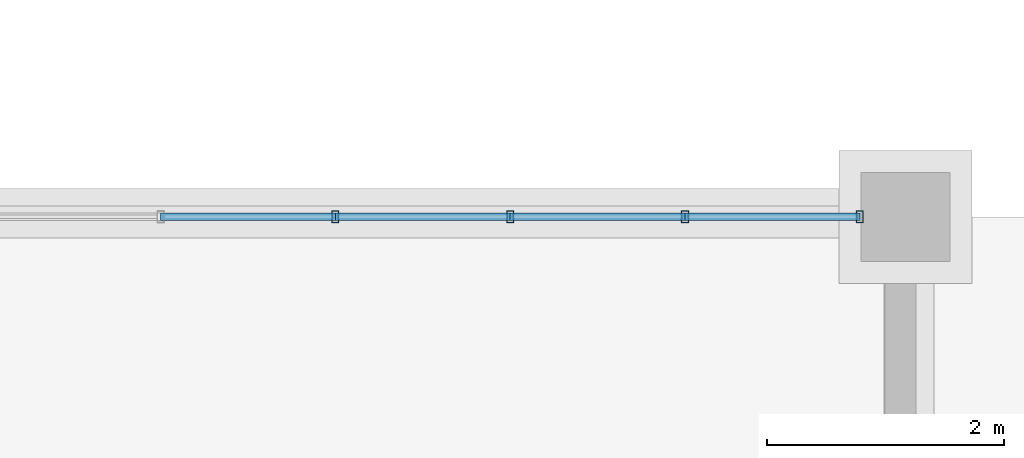
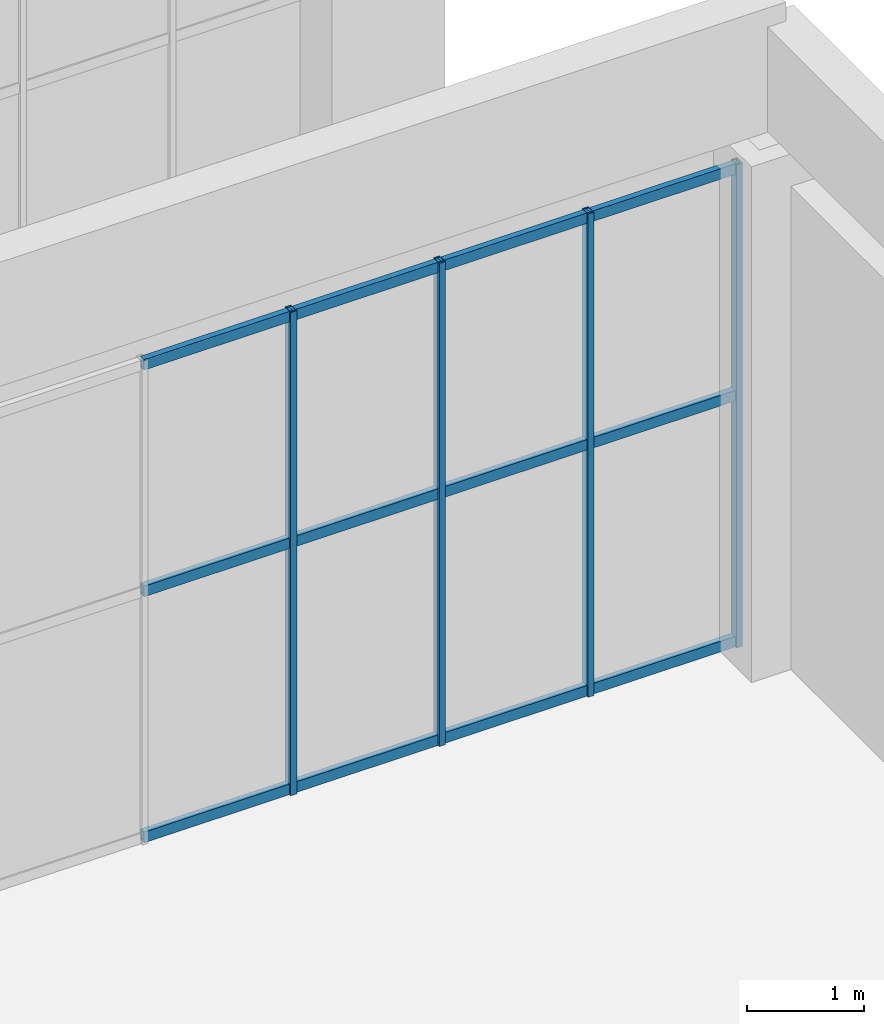
# One storey, part 97 of 164: 16 members, 1 element without a shape of its own.
"""IFC4 building model written with IfcOpenShell, lengths in metres."""

from ifc_helpers import new_model, si_unit, direction, frame, origin, origin_2d, place, context, subcontext, project, spatial, hollow_rectangle, extrude, material, material_profile, profile_set, type_object, element, aggregate, save


model = new_model("IFC4")

# Units and contexts
model_context = context("Model", 3, precision=1e-05, world=origin(), true_north=direction((0.0, 1.0)))
body_context = subcontext(model_context, "Body", "Model", "MODEL_VIEW")
ifc_project = project(units=[si_unit("LENGTHUNIT", "METRE"), si_unit("AREAUNIT", "SQUARE_METRE"), si_unit("VOLUMEUNIT", "CUBIC_METRE"), si_unit("PLANEANGLEUNIT", "RADIAN"), si_unit("MASSUNIT", "GRAM", prefix="KILO")], contexts=[model_context])

# Site, building, storey
site_placement = place(None, origin())
site = spatial("IfcSite", under=ifc_project, at=site_placement, CompositionType="ELEMENT")
building_placement = place(site_placement, origin())
building = spatial("IfcBuilding", under=site, at=building_placement, Name="Mavantir Sound Aquarium", CompositionType="ELEMENT")
storey_placement = place(building_placement, origin())
storey = spatial("IfcBuildingStorey", under=building, at=storey_placement, Name="L00", CompositionType="ELEMENT", Elevation=0.0)

# Curtain wall, members
ifc_material_1 = material(Name="Anodised Marine Aluminium and Low-E Glass", Category="aluminium")
curtain_wall_type = type_object("IfcCurtainWallType", Name="CW-T23", PredefinedType="USERDEFINED", material=ifc_material_1)
curtain_wall_placement = place(storey_placement, origin())
curtain_wall = element("IfcCurtainWall", 1, at=curtain_wall_placement, inside=storey, type_object=curtain_wall_type, Name="L00 unitised curtain wall CW-23 47", ObjectType="UNITISED GLAZING", PredefinedType="USERDEFINED")
ifc_material_2 = material(Name="Anodised Marine Aluminium 6063-T6", Category="aluminium")
ifc_material_profile_1 = material_profile(ifc_material_2, hollow_rectangle(XDim=0.06005859375, YDim=0.10009765625, WallThickness=0.00390625, at=origin_2d()), Name="ALU-MULLION-100X60")
ifc_profile_set_1 = profile_set([ifc_material_profile_1], Name="Anodised Marine Aluminium 6063-T6")
member_type_1 = type_object("IfcMemberType", Name="CW-MUL-100", PredefinedType="MULLION", material=ifc_profile_set_1)
member_1_placement = place(storey_placement, frame((174.81689453125, 28.800048828125, 0.0), z_axis=(0.0, 0.0, 1.0), x_axis=(1.0, 0.0, 0.0)))
member_1 = element("IfcMember", 2, at=member_1_placement, type_object=member_type_1, Name="CW-L00-047 vertical mullion 1", PredefinedType="MULLION", context=body_context, shape_type="SweptSolid", body=[
    extrude(hollow_rectangle(XDim=0.06005859375, YDim=0.10009765625, WallThickness=0.00390625, at=origin_2d()), origin(), (0.0, 0.0, 1.0), 5.06005859375),
])
member_2_placement = place(storey_placement, frame((173.3447265625, 28.800048828125, 0.0), z_axis=(0.0, 0.0, 1.0), x_axis=(1.0, 0.0, 0.0)))
member_2 = element("IfcMember", 3, at=member_2_placement, type_object=member_type_1, Name="CW-L00-047 vertical mullion 2", PredefinedType="MULLION", context=body_context, shape_type="SweptSolid", body=[
    extrude(hollow_rectangle(XDim=0.06005859375, YDim=0.10009765625, WallThickness=0.00390625, at=origin_2d()), origin(), (0.0, 0.0, 1.0), 5.06005859375),
])
member_3_placement = place(storey_placement, frame((171.872314453125, 28.800048828125, 0.0), z_axis=(0.0, 0.0, 1.0), x_axis=(1.0, 0.0, 0.0)))
member_3 = element("IfcMember", 4, at=member_3_placement, type_object=member_type_1, Name="CW-L00-047 vertical mullion 3", PredefinedType="MULLION", context=body_context, shape_type="SweptSolid", body=[
    extrude(hollow_rectangle(XDim=0.06005859375, YDim=0.10009765625, WallThickness=0.00390625, at=origin_2d()), origin(), (0.0, 0.0, 1.0), 5.06005859375),
])
member_4_placement = place(storey_placement, frame((170.39990234375, 28.800048828125, 0.0), z_axis=(0.0, 0.0, 1.0), x_axis=(1.0, 0.0, 0.0)))
member_4 = element("IfcMember", 5, at=member_4_placement, type_object=member_type_1, Name="CW-L00-047 vertical mullion 4", PredefinedType="MULLION", context=body_context, shape_type="SweptSolid", body=[
    extrude(hollow_rectangle(XDim=0.06005859375, YDim=0.10009765625, WallThickness=0.00390625, at=origin_2d()), origin(), (0.0, 0.0, 1.0), 5.06005859375),
])
ifc_material_profile_2 = material_profile(ifc_material_2, hollow_rectangle(XDim=0.06005859375, YDim=0.110107421875, WallThickness=0.00390625, at=origin_2d()), Name="ALU-TRANSOM-110X60")
ifc_profile_set_2 = profile_set([ifc_material_profile_2], Name="Anodised Marine Aluminium 6063-T6")
member_type_2 = type_object("IfcMemberType", Name="CW-TRN-110", PredefinedType="USERDEFINED", material=ifc_profile_set_2)
member_5_placement = place(storey_placement, frame((174.81689453125, 28.800048828125, 0.054931640625), z_axis=(-1.0, 0.0, 0.0), x_axis=(0.0, -1.0, 0.0)))
member_5 = element("IfcMember", 6, at=member_5_placement, type_object=member_type_2, Name="CW-L00-047 transom 1.1", ObjectType="TRANSOM", PredefinedType="USERDEFINED", context=body_context, shape_type="SweptSolid", body=[
    extrude(hollow_rectangle(XDim=0.06005859375, YDim=0.110107421875, WallThickness=0.00390625, at=origin_2d()), origin(), (0.0, 0.0, 1.0), 1.47216796875),
])
member_6_placement = place(storey_placement, frame((174.81689453125, 28.800048828125, 2.631103515625), z_axis=(-1.0, 0.0, 0.0), x_axis=(0.0, -1.0, 0.0)))
member_6 = element("IfcMember", 7, at=member_6_placement, type_object=member_type_2, Name="CW-L00-047 transom 1.2", ObjectType="TRANSOM", PredefinedType="USERDEFINED", context=body_context, shape_type="SweptSolid", body=[
    extrude(hollow_rectangle(XDim=0.06005859375, YDim=0.110107421875, WallThickness=0.00390625, at=origin_2d()), origin(), (0.0, 0.0, 1.0), 1.47216796875),
])
member_7_placement = place(storey_placement, frame((174.81689453125, 28.800048828125, 5.0048828125), z_axis=(-1.0, 0.0, 0.0), x_axis=(0.0, -1.0, 0.0)))
member_7 = element("IfcMember", 8, at=member_7_placement, type_object=member_type_2, Name="CW-L00-047 transom 1.3", ObjectType="TRANSOM", PredefinedType="USERDEFINED", context=body_context, shape_type="SweptSolid", body=[
    extrude(hollow_rectangle(XDim=0.06005859375, YDim=0.110107421875, WallThickness=0.00390625, at=origin_2d()), origin(), (0.0, 0.0, 1.0), 1.47216796875),
])
member_8_placement = place(storey_placement, frame((173.3447265625, 28.800048828125, 0.054931640625), z_axis=(-1.0, 0.0, 0.0), x_axis=(0.0, -1.0, 0.0)))
member_8 = element("IfcMember", 9, at=member_8_placement, type_object=member_type_2, Name="CW-L00-047 transom 2.1", ObjectType="TRANSOM", PredefinedType="USERDEFINED", context=body_context, shape_type="SweptSolid", body=[
    extrude(hollow_rectangle(XDim=0.06005859375, YDim=0.110107421875, WallThickness=0.00390625, at=origin_2d()), origin(), (0.0, 0.0, 1.0), 1.472412109375),
])
member_9_placement = place(storey_placement, frame((173.3447265625, 28.800048828125, 2.631103515625), z_axis=(-1.0, 0.0, 0.0), x_axis=(0.0, -1.0, 0.0)))
member_9 = element("IfcMember", 10, at=member_9_placement, type_object=member_type_2, Name="CW-L00-047 transom 2.2", ObjectType="TRANSOM", PredefinedType="USERDEFINED", context=body_context, shape_type="SweptSolid", body=[
    extrude(hollow_rectangle(XDim=0.06005859375, YDim=0.110107421875, WallThickness=0.00390625, at=origin_2d()), origin(), (0.0, 0.0, 1.0), 1.472412109375),
])
member_10_placement = place(storey_placement, frame((173.3447265625, 28.800048828125, 5.0048828125), z_axis=(-1.0, 0.0, 0.0), x_axis=(0.0, -1.0, 0.0)))
member_10 = element("IfcMember", 11, at=member_10_placement, type_object=member_type_2, Name="CW-L00-047 transom 2.3", ObjectType="TRANSOM", PredefinedType="USERDEFINED", context=body_context, shape_type="SweptSolid", body=[
    extrude(hollow_rectangle(XDim=0.06005859375, YDim=0.110107421875, WallThickness=0.00390625, at=origin_2d()), origin(), (0.0, 0.0, 1.0), 1.472412109375),
])
member_11_placement = place(storey_placement, frame((171.872314453125, 28.800048828125, 0.054931640625), z_axis=(-1.0, 0.0, 0.0), x_axis=(0.0, -1.0, 0.0)))
member_11 = element("IfcMember", 12, at=member_11_placement, type_object=member_type_2, Name="CW-L00-047 transom 3.1", ObjectType="TRANSOM", PredefinedType="USERDEFINED", context=body_context, shape_type="SweptSolid", body=[
    extrude(hollow_rectangle(XDim=0.06005859375, YDim=0.110107421875, WallThickness=0.00390625, at=origin_2d()), origin(), (0.0, 0.0, 1.0), 1.472412109375),
])
member_12_placement = place(storey_placement, frame((171.872314453125, 28.800048828125, 2.631103515625), z_axis=(-1.0, 0.0, 0.0), x_axis=(0.0, -1.0, 0.0)))
member_12 = element("IfcMember", 13, at=member_12_placement, type_object=member_type_2, Name="CW-L00-047 transom 3.2", ObjectType="TRANSOM", PredefinedType="USERDEFINED", context=body_context, shape_type="SweptSolid", body=[
    extrude(hollow_rectangle(XDim=0.06005859375, YDim=0.110107421875, WallThickness=0.00390625, at=origin_2d()), origin(), (0.0, 0.0, 1.0), 1.472412109375),
])
member_13_placement = place(storey_placement, frame((171.872314453125, 28.800048828125, 5.0048828125), z_axis=(-1.0, 0.0, 0.0), x_axis=(0.0, -1.0, 0.0)))
member_13 = element("IfcMember", 14, at=member_13_placement, type_object=member_type_2, Name="CW-L00-047 transom 3.3", ObjectType="TRANSOM", PredefinedType="USERDEFINED", context=body_context, shape_type="SweptSolid", body=[
    extrude(hollow_rectangle(XDim=0.06005859375, YDim=0.110107421875, WallThickness=0.00390625, at=origin_2d()), origin(), (0.0, 0.0, 1.0), 1.472412109375),
])
member_14_placement = place(storey_placement, frame((170.39990234375, 28.800048828125, 0.054931640625), z_axis=(-1.0, 0.0, 0.0), x_axis=(0.0, -1.0, 0.0)))
member_14 = element("IfcMember", 15, at=member_14_placement, type_object=member_type_2, Name="CW-L00-047 transom 4.1", ObjectType="TRANSOM", PredefinedType="USERDEFINED", context=body_context, shape_type="SweptSolid", body=[
    extrude(hollow_rectangle(XDim=0.06005859375, YDim=0.110107421875, WallThickness=0.00390625, at=origin_2d()), origin(), (0.0, 0.0, 1.0), 1.47216796875),
])
member_15_placement = place(storey_placement, frame((170.39990234375, 28.800048828125, 2.631103515625), z_axis=(-1.0, 0.0, 0.0), x_axis=(0.0, -1.0, 0.0)))
member_15 = element("IfcMember", 16, at=member_15_placement, type_object=member_type_2, Name="CW-L00-047 transom 4.2", ObjectType="TRANSOM", PredefinedType="USERDEFINED", context=body_context, shape_type="SweptSolid", body=[
    extrude(hollow_rectangle(XDim=0.06005859375, YDim=0.110107421875, WallThickness=0.00390625, at=origin_2d()), origin(), (0.0, 0.0, 1.0), 1.47216796875),
])
member_16_placement = place(storey_placement, frame((170.39990234375, 28.800048828125, 5.0048828125), z_axis=(-1.0, 0.0, 0.0), x_axis=(0.0, -1.0, 0.0)))
member_16 = element("IfcMember", 17, at=member_16_placement, type_object=member_type_2, Name="CW-L00-047 transom 4.3", ObjectType="TRANSOM", PredefinedType="USERDEFINED", context=body_context, shape_type="SweptSolid", body=[
    extrude(hollow_rectangle(XDim=0.06005859375, YDim=0.110107421875, WallThickness=0.00390625, at=origin_2d()), origin(), (0.0, 0.0, 1.0), 1.47216796875),
])
aggregate(curtain_wall, [member_1, member_2, member_3, member_4, member_5, member_6, member_7, member_8, member_9, member_10, member_11, member_12, member_13, member_14, member_15, member_16])

save(model, "model.ifc")
